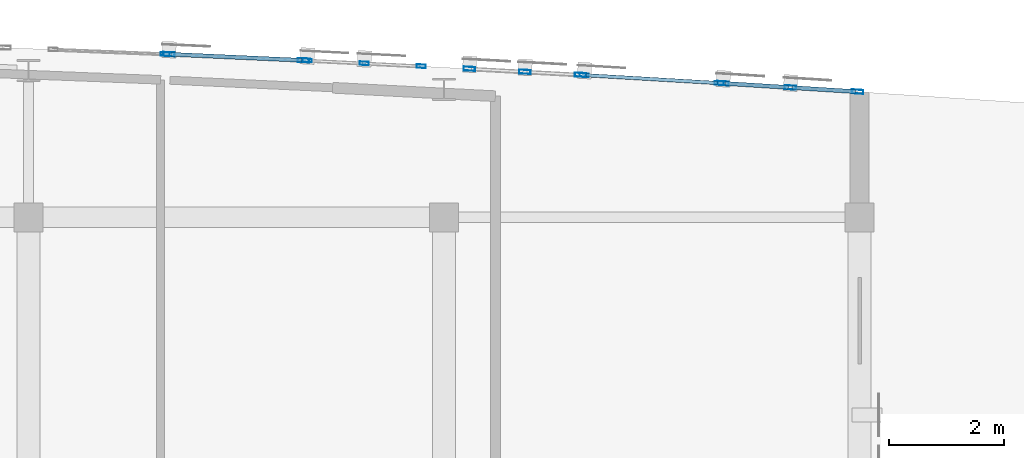
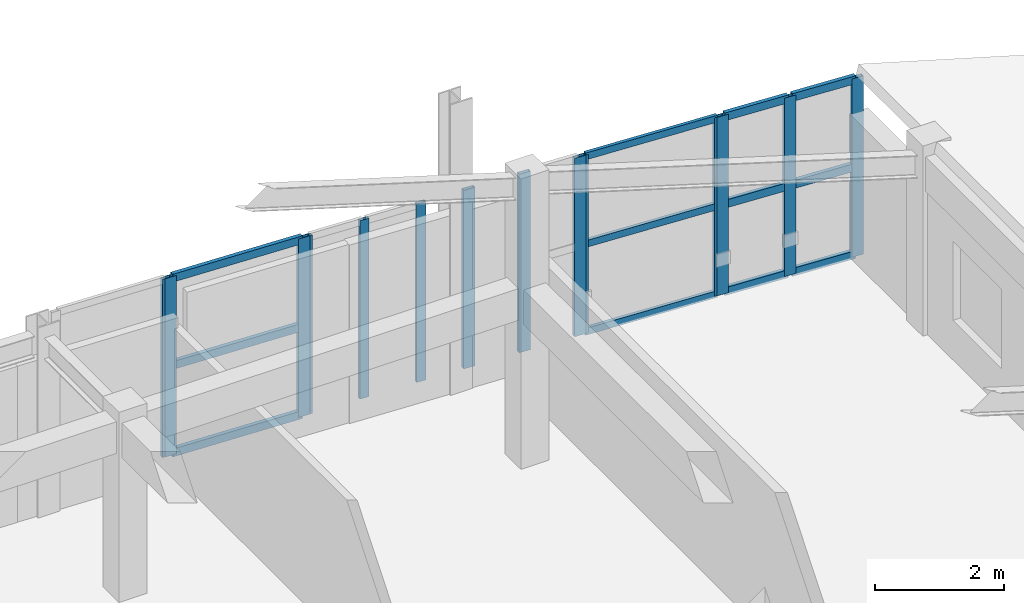
# One storey, part 20 of 34: 26 members, 6 elements without a shape of their own.
"""IFC4 building model written with IfcOpenShell, lengths in metres."""

import ifcopenshell
import ifcopenshell.guid

model = None  # the IFC model being written
_history = None  # IfcOwnerHistory: only IFC2X3 demands one
_inside = {}  # id of a spatial element -> (the spatial element, [elements in it])
_under = {}  # id of a project, library or spatial element -> (it, [spatial elements below it])
_declared = {}  # id of a project -> (the project, [libraries it declares])
_typed = {}  # id of a type object -> (the type object, [elements of that type])
_made_of = {}  # id of a material, layer set ... -> (it, [elements and type objects made of it])


def new_model(schema):
    """Start an empty IFC model of exactly this schema.

    Asked for "IFC4X3", IfcOpenShell would pick the latest addendum, in which some entities
    have other attributes; the version numbers below select the first issue.
    IFC2X3 requires an IfcOwnerHistory on every rooted entity: one is made here for all.
    """
    global model, _history
    if schema == "IFC4X3":
        model = ifcopenshell.file(schema_version=(4, 3, 0, 0))
    else:
        model = ifcopenshell.file(schema=schema)
    _inside.clear()
    _under.clear()
    _declared.clear()
    _typed.clear()
    _made_of.clear()
    _history = None
    if model.schema == "IFC2X3":
        org = make("IfcOrganization", Name="unknown")
        user = make(
            "IfcPersonAndOrganization",
            ThePerson=make("IfcPerson", FamilyName="unknown"),
            TheOrganization=org,
        )
        app = make(
            "IfcApplication",
            ApplicationDeveloper=org,
            Version="unknown",
            ApplicationFullName="unknown",
            ApplicationIdentifier="unknown",
        )
        _history = make(
            "IfcOwnerHistory",
            OwningUser=user,
            OwningApplication=app,
            ChangeAction="ADDED",
            CreationDate=0,
        )
    return model


def make(cls, **values):
    """One entity of the class cls with the attributes given. An attribute that is None is left unset."""
    return model.create_entity(
        cls, **{name: value for name, value in values.items() if value is not None}
    )


def rooted(cls, **values):
    """An entity with a GlobalId (a new one), such as an element, a storey or a relation."""
    return make(cls, GlobalId=ifcopenshell.guid.new(), OwnerHistory=_history, **values)


def si_unit(unit_type, name, prefix=None):
    """IfcSIUnit, for example si_unit("LENGTHUNIT", "METRE", prefix="MILLI")."""
    return make("IfcSIUnit", UnitType=unit_type, Prefix=prefix, Name=name)


def assignment(units):
    """IfcUnitAssignment: the units of a project."""
    return None if units is None else make("IfcUnitAssignment", Units=units)


def point(xyz):
    """IfcCartesianPoint."""
    return None if xyz is None else make("IfcCartesianPoint", Coordinates=xyz)


def direction(xyz):
    """IfcDirection."""
    return None if xyz is None else make("IfcDirection", DirectionRatios=xyz)


def frame(location, z_axis=None, x_axis=None):
    """IfcAxis2Placement3D, a coordinate frame: its origin and axes. An axis left out is left unset."""
    return make(
        "IfcAxis2Placement3D",
        Location=point(location),
        Axis=direction(z_axis),
        RefDirection=direction(x_axis),
    )


def frame_2d(location, x_axis=None):
    """IfcAxis2Placement2D, a coordinate frame in the plane: its origin and x axis."""
    return make(
        "IfcAxis2Placement2D", Location=point(location), RefDirection=direction(x_axis)
    )


def origin():
    """The frame at (0, 0, 0) with its axes left unset."""
    return frame((0.0, 0.0, 0.0))


def origin_2d():
    """The frame at (0, 0) in the plane with its x axis left unset."""
    return frame_2d((0.0, 0.0))


def place(relative_to, where):
    """IfcLocalPlacement: puts the frame where relative to a parent placement (None: the world)."""
    return make(
        "IfcLocalPlacement", PlacementRelTo=relative_to, RelativePlacement=where
    )


def context(
    kind, dimensions, precision=None, world=None, true_north=None, identifier=None
):
    """IfcGeometricRepresentationContext, for example the 3D "Model" context."""
    return make(
        "IfcGeometricRepresentationContext",
        ContextIdentifier=identifier,
        ContextType=kind,
        CoordinateSpaceDimension=dimensions,
        Precision=precision,
        WorldCoordinateSystem=world,
        TrueNorth=true_north,
    )


def subcontext(parent, identifier, kind, view, scale=None):
    """IfcGeometricRepresentationSubContext, for example "Body" below "Model"."""
    return make(
        "IfcGeometricRepresentationSubContext",
        ContextIdentifier=identifier,
        ContextType=kind,
        ParentContext=parent,
        TargetScale=scale,
        TargetView=view,
    )


def project(units=None, contexts=None):
    """IfcProject with its units and contexts."""
    return rooted(
        "IfcProject",
        Name="project",
        RepresentationContexts=contexts,
        UnitsInContext=assignment(units),
    )


def spatial(cls, under=None, at=None, **own):
    """A site, building, storey or space (cls), placed at a placement, below another one or the project."""
    s = rooted(cls, ObjectPlacement=at, **own)
    if under is not None:
        _under.setdefault(under.id(), (under, []))[1].append(s)
    return s


def profile(cls, at=None, kind="AREA", **sizes):
    """A parametric profile (cls). Its sizes go by their IFC names, for example OverallWidth=200.0."""
    return make(cls, ProfileType=kind, Position=at, **sizes)


def hollow_rectangle(**sizes):
    """IfcRectangleHollowProfileDef."""
    return profile("IfcRectangleHollowProfileDef", **sizes)


def extrude(swept, where, along, depth):
    """IfcExtrudedAreaSolid: the profile swept, set in the frame where, extruded along a direction by depth."""
    return make(
        "IfcExtrudedAreaSolid",
        SweptArea=swept,
        Position=where,
        ExtrudedDirection=direction(along),
        Depth=depth,
    )


def shape(context_of_items, identifier, shape_type, items):
    """IfcShapeRepresentation: the items that make up one representation, for example the "Body"."""
    return make(
        "IfcShapeRepresentation",
        ContextOfItems=context_of_items,
        RepresentationIdentifier=identifier,
        RepresentationType=shape_type,
        Items=items,
    )


def material(Name=None, Category=None):
    """IfcMaterial."""
    return make("IfcMaterial", Name=Name, Category=Category)


def layer(
    of_material, thickness, ventilated=None, Name=None, Category=None, Priority=None
):
    """IfcMaterialLayer: one layer of a wall or slab, of a material (None: an air gap)."""
    return make(
        "IfcMaterialLayer",
        Material=of_material,
        LayerThickness=thickness,
        IsVentilated=ventilated,
        Name=Name,
        Category=Category,
        Priority=Priority,
    )


def layer_set(layers, Name=None):
    """IfcMaterialLayerSet."""
    return make("IfcMaterialLayerSet", MaterialLayers=layers, LayerSetName=Name)


def material_profile(
    of_material, cross_section, Name=None, Category=None, Priority=None
):
    """IfcMaterialProfile: a cross section and its material."""
    return make(
        "IfcMaterialProfile",
        Name=Name,
        Material=of_material,
        Profile=cross_section,
        Priority=Priority,
        Category=Category,
    )


def profile_set(profiles, Name=None, composite=None):
    """IfcMaterialProfileSet."""
    return make(
        "IfcMaterialProfileSet",
        Name=Name,
        MaterialProfiles=profiles,
        CompositeProfile=composite,
    )


def made_of(thing, what):
    """Note that an element or type object is made of a material, layer set ...; save() writes the relation."""
    if what is not None:
        _made_of.setdefault(what.id(), (what, []))[1].append(thing)
    return thing


def type_object(cls, material=None, **own):
    """A type object (cls), such as IfcWallType, which elements share."""
    return made_of(rooted(cls, **own), material)


def element(
    cls,
    number,
    at=None,
    inside=None,
    cuts=None,
    type_object=None,
    material=None,
    context=None,
    identifier="Body",
    shape_type=None,
    held_by="IfcProductDefinitionShape",
    body=None,
    shapes=None,
    **own,
):
    """One element of the class cls, such as IfcWall. Its Tag is "e" and its number.

    at: its placement. inside: the storey or other place that contains it. cuts: it is an
    opening in that element (IfcRelVoidsElement). A single representation is given by context,
    identifier, shape_type and body (its items); several are given by shapes. held_by: the class
    of the entity that holds the representations. save() writes the other relations.
    """
    e = rooted(cls, Tag="e%d" % number, ObjectPlacement=at, **own)
    if body is not None:
        shapes = [shape(context, identifier, shape_type, body)]
    if shapes is not None:
        e.Representation = make(held_by, Representations=shapes)
    if inside is not None:
        _inside.setdefault(inside.id(), (inside, []))[1].append(e)
    if cuts is not None:
        rooted(
            "IfcRelVoidsElement", RelatingBuildingElement=cuts, RelatedOpeningElement=e
        )
    if type_object is not None:
        _typed.setdefault(type_object.id(), (type_object, []))[1].append(e)
    return made_of(e, material)


def aggregate(whole, parts):
    """IfcRelAggregates: a whole, such as a stair, and the parts it consists of."""
    return rooted("IfcRelAggregates", RelatingObject=whole, RelatedObjects=parts)


def save(model, path):
    """Write the relations noted so far, then the file.

    IfcRelAggregates (storeys below a building ...), IfcRelContainedInSpatialStructure (elements
    in a storey), IfcRelDefinesByType, IfcRelAssociatesMaterial and IfcRelDeclares: one each for
    every whole, place, type object, material and project.
    """
    for whole, parts in _under.values():
        aggregate(whole, parts)
    for where, things in _inside.values():
        rooted(
            "IfcRelContainedInSpatialStructure",
            RelatedElements=things,
            RelatingStructure=where,
        )
    for kind, things in _typed.values():
        rooted("IfcRelDefinesByType", RelatedObjects=things, RelatingType=kind)
    for what, things in _made_of.values():
        rooted("IfcRelAssociatesMaterial", RelatedObjects=things, RelatingMaterial=what)
    for by, libraries in _declared.values():
        rooted("IfcRelDeclares", RelatingContext=by, RelatedDefinitions=libraries)
    model.write(path)


model = new_model("IFC4")

# Units and contexts
model_context = context("Model", 3, precision=1e-05, world=origin(), true_north=direction((0.0, 1.0)))
body_context = subcontext(model_context, "Body", "Model", "MODEL_VIEW")
ifc_project = project(units=[si_unit("LENGTHUNIT", "METRE"), si_unit("AREAUNIT", "SQUARE_METRE"), si_unit("VOLUMEUNIT", "CUBIC_METRE"), si_unit("PLANEANGLEUNIT", "RADIAN"), si_unit("MASSUNIT", "GRAM", prefix="KILO")], contexts=[model_context])

# Site, building, storey
site_placement = place(None, origin())
site = spatial("IfcSite", under=ifc_project, at=site_placement, CompositionType="ELEMENT")
building_placement = place(site_placement, origin())
building = spatial("IfcBuilding", under=site, at=building_placement, Name="Carrowvane Square Congress Hotel", CompositionType="ELEMENT")
storey_placement = place(building_placement, frame((0.0, 0.0, 40.800048828125)))
storey = spatial("IfcBuildingStorey", under=building, at=storey_placement, Name="L10", CompositionType="ELEMENT", Elevation=40.800048828125)

# Curtain wall, member
ifc_material_1 = material(Name="Anodised aluminium", Category="aluminium")
ifc_layer_1 = layer(ifc_material_1, 0.2099609375)
ifc_layer_set_1 = layer_set([ifc_layer_1], Name="Anodised aluminium")
curtain_wall_type_1 = type_object("IfcCurtainWallType", Name="CW-SYS-5", PredefinedType="NOTDEFINED", material=ifc_layer_set_1)
curtain_wall_1_placement = place(storey_placement, origin())
curtain_wall_1 = element("IfcCurtainWall", 1, at=curtain_wall_1_placement, inside=storey, type_object=curtain_wall_type_1, Name="L10 unitised curtain wall 580", PredefinedType="NOTDEFINED")
ifc_material_2 = material(Name="Anodised aluminium", Category="aluminium")
ifc_material_profile_1 = material_profile(ifc_material_2, hollow_rectangle(XDim=0.06005859375, YDim=0.159912109375, WallThickness=0.00390625, at=origin_2d()), Name="CW-ML 60x160x4")
ifc_profile_set_1 = profile_set([ifc_material_profile_1], Name="Anodised aluminium")
member_type_1 = type_object("IfcMemberType", Name="CW-MUL-1", PredefinedType="MULLION", material=ifc_profile_set_1)
member_1_placement = place(storey_placement, frame((114.77001953125, 116.228759765625, 0.0), z_axis=(0.0, 0.0, 1.0), x_axis=(0.040130957403, 0.999194428656, 0.0)))
member_1 = element("IfcMember", 2, at=member_1_placement, type_object=member_type_1, Name="CW-5 mullion 2", PredefinedType="MULLION", context=body_context, shape_type="SweptSolid", body=[
    extrude(hollow_rectangle(XDim=0.06005859375, YDim=0.159912109375, WallThickness=0.00390625, at=origin_2d()), origin(), (0.0, 0.0, 1.0), 3.3798828125),
])
aggregate(curtain_wall_1, [member_1])

# Curtain wall, members
ifc_material_3 = material(Name="Anodised aluminium", Category="aluminium")
ifc_layer_2 = layer(ifc_material_3, 0.23388671875)
ifc_layer_set_2 = layer_set([ifc_layer_2], Name="Anodised aluminium")
curtain_wall_type_2 = type_object("IfcCurtainWallType", Name="CW-SYS-7", PredefinedType="NOTDEFINED", material=ifc_layer_set_2)
curtain_wall_2_placement = place(storey_placement, origin())
curtain_wall_2 = element("IfcCurtainWall", 3, at=curtain_wall_2_placement, inside=storey, type_object=curtain_wall_type_2, Name="L10 unitised curtain wall 582", PredefinedType="NOTDEFINED")
member_2_placement = place(storey_placement, frame((117.22998046875, 116.116943359375, 0.0), z_axis=(0.0, 0.0, 1.0), x_axis=(0.050323791596, 0.998732955299, 0.0)))
member_2 = element("IfcMember", 4, at=member_2_placement, type_object=member_type_1, Name="CW-7 mullion 1", PredefinedType="MULLION", context=body_context, shape_type="SweptSolid", body=[
    extrude(hollow_rectangle(XDim=0.06005859375, YDim=0.159912109375, WallThickness=0.00390625, at=origin_2d()), origin(), (0.0, 0.0, 1.0), 3.3798828125),
])
member_3_placement = place(storey_placement, frame((118.2177734375, 116.067138671875, 0.0), z_axis=(0.0, 0.0, 1.0), x_axis=(0.050323791596, 0.998732955299, 0.0)))
member_3 = element("IfcMember", 5, at=member_3_placement, type_object=member_type_1, Name="CW-7 mullion 2", PredefinedType="MULLION", context=body_context, shape_type="SweptSolid", body=[
    extrude(hollow_rectangle(XDim=0.06005859375, YDim=0.159912109375, WallThickness=0.00390625, at=origin_2d()), origin(), (0.0, 0.0, 1.0), 3.3798828125),
])
member_4_placement = place(storey_placement, frame((119.20556640625, 116.017578125, 0.0), z_axis=(0.0, 0.0, 1.0), x_axis=(0.050323791596, 0.998732955299, 0.0)))
member_4 = element("IfcMember", 6, at=member_4_placement, type_object=member_type_1, Name="CW-7 mullion 3", PredefinedType="MULLION", context=body_context, shape_type="SweptSolid", body=[
    extrude(hollow_rectangle(XDim=0.06005859375, YDim=0.159912109375, WallThickness=0.00390625, at=origin_2d()), origin(), (0.0, 0.0, 1.0), 3.3798828125),
])
aggregate(curtain_wall_2, [member_2, member_3, member_4])

ifc_material_4 = material(Name="Anodised aluminium", Category="aluminium")
ifc_layer_3 = layer(ifc_material_4, 0.162109375)
ifc_layer_set_3 = layer_set([ifc_layer_3], Name="Anodised aluminium")
curtain_wall_type_3 = type_object("IfcCurtainWallType", Name="CW-SYS-1", PredefinedType="NOTDEFINED", material=ifc_layer_set_3)
curtain_wall_3_placement = place(storey_placement, origin())
curtain_wall_3 = element("IfcCurtainWall", 7, at=curtain_wall_3_placement, inside=storey, type_object=curtain_wall_type_3, Name="L10 unitised curtain wall 584", PredefinedType="NOTDEFINED")
member_5_placement = place(storey_placement, frame((122.030029296875, 115.864013671875, 0.0), z_axis=(0.0, 0.0, 1.0), x_axis=(0.058851249486, 0.998266763162, 0.0)))
member_5 = element("IfcMember", 8, at=member_5_placement, type_object=member_type_1, Name="CW-1 mullion 1", PredefinedType="MULLION", context=body_context, shape_type="SweptSolid", body=[
    extrude(hollow_rectangle(XDim=0.06005859375, YDim=0.159912109375, WallThickness=0.00390625, at=origin_2d()), origin(), (0.0, 0.0, 1.0), 3.3798828125),
])
member_6_placement = place(storey_placement, frame((124.3701171875, 115.72607421875, 0.0), z_axis=(0.0, 0.0, 1.0), x_axis=(0.058851249486, 0.998266763162, 0.0)))
member_6 = element("IfcMember", 9, at=member_6_placement, type_object=member_type_1, Name="CW-1 mullion 2", PredefinedType="MULLION", context=body_context, shape_type="SweptSolid", body=[
    extrude(hollow_rectangle(XDim=0.06005859375, YDim=0.159912109375, WallThickness=0.00390625, at=origin_2d()), origin(), (0.0, 0.0, 1.0), 3.3798828125),
])

ifc_material_5 = material(Name="Anodised aluminium", Category="aluminium")
ifc_layer_4 = layer(ifc_material_5, 0.221923828125)
ifc_layer_set_4 = layer_set([ifc_layer_4], Name="Anodised aluminium")
curtain_wall_type_4 = type_object("IfcCurtainWallType", Name="CW-SYS-6", PredefinedType="NOTDEFINED", material=ifc_layer_set_4)
curtain_wall_4_placement = place(storey_placement, origin())
curtain_wall_4 = element("IfcCurtainWall", 10, at=curtain_wall_4_placement, inside=storey, type_object=curtain_wall_type_4, Name="L10 unitised curtain wall 581", PredefinedType="NOTDEFINED")
ifc_material_6 = material(Name="Anodised aluminium", Category="aluminium")
ifc_material_profile_2 = material_profile(ifc_material_6, hollow_rectangle(XDim=0.070068359375, YDim=0.199951171875, WallThickness=0.0048828125, at=origin_2d()), Name="CW-ML 70x200x5")
ifc_profile_set_2 = profile_set([ifc_material_profile_2], Name="Anodised aluminium")
member_type_2 = type_object("IfcMemberType", Name="CW-MUL-2", PredefinedType="MULLION", material=ifc_profile_set_2)
member_7_placement = place(storey_placement, frame((114.8349609375, 116.22607421875, 0.0), z_axis=(0.0, 0.0, 1.0), x_axis=(0.045411059449, 0.998968385726, 0.0)))
member_7 = element("IfcMember", 11, at=member_7_placement, type_object=member_type_2, Name="CW-6 mullion 1", PredefinedType="MULLION", context=body_context, shape_type="SweptSolid", body=[
    extrude(hollow_rectangle(XDim=0.070068359375, YDim=0.199951171875, WallThickness=0.0048828125, at=origin_2d()), origin(), (0.0, 0.0, 1.0), 3.3798828125),
])
member_8_placement = place(storey_placement, frame((117.1650390625, 116.1201171875, 0.0), z_axis=(0.0, 0.0, 1.0), x_axis=(0.045411059449, 0.998968385726, 0.0)))
member_8 = element("IfcMember", 12, at=member_8_placement, type_object=member_type_2, Name="CW-6 mullion 2", PredefinedType="MULLION", context=body_context, shape_type="SweptSolid", body=[
    extrude(hollow_rectangle(XDim=0.070068359375, YDim=0.199951171875, WallThickness=0.0048828125, at=origin_2d()), origin(), (0.0, 0.0, 1.0), 3.3798828125),
])

ifc_material_7 = material(Name="Anodised aluminium", Category="aluminium")
ifc_layer_5 = layer(ifc_material_7, 0.24609375)
ifc_layer_set_5 = layer_set([ifc_layer_5], Name="Anodised aluminium")
curtain_wall_type_5 = type_object("IfcCurtainWallType", Name="CW-SYS-8", PredefinedType="NOTDEFINED", material=ifc_layer_set_5)
curtain_wall_5_placement = place(storey_placement, origin())
curtain_wall_5 = element("IfcCurtainWall", 13, at=curtain_wall_5_placement, inside=storey, type_object=curtain_wall_type_5, Name="L10 unitised curtain wall 583", PredefinedType="NOTDEFINED")
member_9_placement = place(storey_placement, frame((120.03955078125, 115.973388671875, 0.0), z_axis=(0.0, 0.0, 1.0), x_axis=(0.054815980317, 0.998496473856, 0.0)))
member_9 = element("IfcMember", 14, at=member_9_placement, type_object=member_type_2, Name="CW-8 mullion 1", PredefinedType="MULLION", context=body_context, shape_type="SweptSolid", body=[
    extrude(hollow_rectangle(XDim=0.070068359375, YDim=0.199951171875, WallThickness=0.0048828125, at=origin_2d()), origin(), (0.0, 0.0, 1.0), 3.3798828125),
])
member_10_placement = place(storey_placement, frame((121.002197265625, 115.920654296875, 0.0), z_axis=(0.0, 0.0, 1.0), x_axis=(0.054815980317, 0.998496473856, 0.0)))
member_10 = element("IfcMember", 15, at=member_10_placement, type_object=member_type_2, Name="CW-8 mullion 2", PredefinedType="MULLION", context=body_context, shape_type="SweptSolid", body=[
    extrude(hollow_rectangle(XDim=0.070068359375, YDim=0.199951171875, WallThickness=0.0048828125, at=origin_2d()), origin(), (0.0, 0.0, 1.0), 3.3798828125),
])
member_11_placement = place(storey_placement, frame((121.965087890625, 115.86767578125, 0.0), z_axis=(0.0, 0.0, 1.0), x_axis=(0.054815980317, 0.998496473856, 0.0)))
member_11 = element("IfcMember", 16, at=member_11_placement, type_object=member_type_2, Name="CW-8 mullion 3", PredefinedType="MULLION", context=body_context, shape_type="SweptSolid", body=[
    extrude(hollow_rectangle(XDim=0.070068359375, YDim=0.199951171875, WallThickness=0.0048828125, at=origin_2d()), origin(), (0.0, 0.0, 1.0), 3.3798828125),
])
aggregate(curtain_wall_5, [member_9, member_10, member_11])

ifc_material_8 = material(Name="Anodised aluminium", Category="aluminium")
ifc_layer_6 = layer(ifc_material_8, 0.174072265625)
ifc_layer_set_6 = layer_set([ifc_layer_6], Name="Anodised aluminium")
curtain_wall_type_6 = type_object("IfcCurtainWallType", Name="CW-SYS-2", PredefinedType="NOTDEFINED", material=ifc_layer_set_6)
curtain_wall_6_placement = place(storey_placement, origin())
curtain_wall_6 = element("IfcCurtainWall", 17, at=curtain_wall_6_placement, inside=storey, type_object=curtain_wall_type_6, Name="L10 unitised curtain wall 585", PredefinedType="NOTDEFINED")
member_12_placement = place(storey_placement, frame((124.434814453125, 115.72216796875, 0.0), z_axis=(0.0, 0.0, 1.0), x_axis=(0.062398738983, 0.998051299971, 0.0)))
member_12 = element("IfcMember", 18, at=member_12_placement, type_object=member_type_2, Name="CW-2 mullion 1", PredefinedType="MULLION", context=body_context, shape_type="SweptSolid", body=[
    extrude(hollow_rectangle(XDim=0.070068359375, YDim=0.199951171875, WallThickness=0.0048828125, at=origin_2d()), origin(), (0.0, 0.0, 1.0), 3.3798828125),
])
member_13_placement = place(storey_placement, frame((125.60009765625, 115.6494140625, 0.0), z_axis=(0.0, 0.0, 1.0), x_axis=(0.062398738983, 0.998051299971, 0.0)))
member_13 = element("IfcMember", 19, at=member_13_placement, type_object=member_type_2, Name="CW-2 mullion 2", PredefinedType="MULLION", context=body_context, shape_type="SweptSolid", body=[
    extrude(hollow_rectangle(XDim=0.070068359375, YDim=0.199951171875, WallThickness=0.0048828125, at=origin_2d()), origin(), (0.0, 0.0, 1.0), 3.3798828125),
])
member_14_placement = place(storey_placement, frame((126.76513671875, 115.576416015625, 0.0), z_axis=(0.0, 0.0, 1.0), x_axis=(0.062398738983, 0.998051299971, 0.0)))
member_14 = element("IfcMember", 20, at=member_14_placement, type_object=member_type_2, Name="CW-2 mullion 3", PredefinedType="MULLION", context=body_context, shape_type="SweptSolid", body=[
    extrude(hollow_rectangle(XDim=0.070068359375, YDim=0.199951171875, WallThickness=0.0048828125, at=origin_2d()), origin(), (0.0, 0.0, 1.0), 3.3798828125),
])

# Member
ifc_material_9 = material(Name="Anodised aluminium", Category="aluminium")
ifc_material_profile_3 = material_profile(ifc_material_9, hollow_rectangle(XDim=0.06005859375, YDim=0.1298828125, WallThickness=0.00390625, at=origin_2d()), Name="CW-TR 60x130x4")
ifc_profile_set_3 = profile_set([ifc_material_profile_3], Name="Anodised aluminium")
member_type_3 = type_object("IfcMemberType", Name="CW-TRN-1", PredefinedType="USERDEFINED", material=ifc_profile_set_3)
member_15_placement = place(storey_placement, frame((122.059814453125, 115.8623046875, 0.030029296875), z_axis=(0.998264407893, -0.058891187232, 0.0), x_axis=(0.058891187232, 0.998264407893, 0.0)))
member_15 = element("IfcMember", 21, at=member_15_placement, type_object=member_type_3, Name="CW-1 transom 1.1", ObjectType="TRANSOM", PredefinedType="USERDEFINED", context=body_context, shape_type="SweptSolid", body=[
    extrude(hollow_rectangle(XDim=0.06005859375, YDim=0.1298828125, WallThickness=0.00390625, at=origin_2d()), origin(), (0.0, 0.0, 1.0), 2.2841796875),
])

member_16_placement = place(storey_placement, frame((122.059814453125, 115.8623046875, 1.68994140625), z_axis=(0.998264407893, -0.058891187232, 0.0), x_axis=(0.058891187232, 0.998264407893, 0.0)))
member_16 = element("IfcMember", 22, at=member_16_placement, type_object=member_type_3, Name="CW-1 transom 1.2", ObjectType="TRANSOM", PredefinedType="USERDEFINED", context=body_context, shape_type="SweptSolid", body=[
    extrude(hollow_rectangle(XDim=0.06005859375, YDim=0.1298828125, WallThickness=0.00390625, at=origin_2d()), origin(), (0.0, 0.0, 1.0), 2.2841796875),
])

member_17_placement = place(storey_placement, frame((122.059814453125, 115.8623046875, 3.349853515625), z_axis=(0.998264407893, -0.058891187232, 0.0), x_axis=(0.058891187232, 0.998264407893, 0.0)))
member_17 = element("IfcMember", 23, at=member_17_placement, type_object=member_type_3, Name="CW-1 transom 1.3", ObjectType="TRANSOM", PredefinedType="USERDEFINED", context=body_context, shape_type="SweptSolid", body=[
    extrude(hollow_rectangle(XDim=0.06005859375, YDim=0.1298828125, WallThickness=0.00390625, at=origin_2d()), origin(), (0.0, 0.0, 1.0), 2.2841796875),
])

aggregate(curtain_wall_3, [member_5, member_6, member_15, member_16, member_17])

ifc_material_10 = material(Name="Anodised aluminium", Category="aluminium")
ifc_material_profile_4 = material_profile(ifc_material_10, hollow_rectangle(XDim=0.070068359375, YDim=0.14990234375, WallThickness=0.0048828125, at=origin_2d()), Name="CW-TR 70x150x5")
ifc_profile_set_4 = profile_set([ifc_material_profile_4], Name="Anodised aluminium")
member_type_4 = type_object("IfcMemberType", Name="CW-TRN-2", PredefinedType="USERDEFINED", material=ifc_profile_set_4)
member_18_placement = place(storey_placement, frame((114.869873046875, 116.224365234375, 0.034912109375), z_axis=(0.998967650095, -0.045427239219, 0.0), x_axis=(0.045427239219, 0.998967650095, 0.0)))
member_18 = element("IfcMember", 24, at=member_18_placement, type_object=member_type_4, Name="CW-6 transom 1.1", ObjectType="TRANSOM", PredefinedType="USERDEFINED", context=body_context, shape_type="SweptSolid", body=[
    extrude(hollow_rectangle(XDim=0.070068359375, YDim=0.14990234375, WallThickness=0.0048828125, at=origin_2d()), origin(), (0.0, 0.0, 1.0), 2.2626953125),
])

member_19_placement = place(storey_placement, frame((114.869873046875, 116.224365234375, 1.68994140625), z_axis=(0.998967650095, -0.045427239219, 0.0), x_axis=(0.045427239219, 0.998967650095, 0.0)))
member_19 = element("IfcMember", 25, at=member_19_placement, type_object=member_type_4, Name="CW-6 transom 1.2", ObjectType="TRANSOM", PredefinedType="USERDEFINED", context=body_context, shape_type="SweptSolid", body=[
    extrude(hollow_rectangle(XDim=0.070068359375, YDim=0.14990234375, WallThickness=0.0048828125, at=origin_2d()), origin(), (0.0, 0.0, 1.0), 2.2626953125),
])

member_20_placement = place(storey_placement, frame((114.869873046875, 116.224365234375, 3.344970703125), z_axis=(0.998967650095, -0.045427239219, 0.0), x_axis=(0.045427239219, 0.998967650095, 0.0)))
member_20 = element("IfcMember", 26, at=member_20_placement, type_object=member_type_4, Name="CW-6 transom 1.3", ObjectType="TRANSOM", PredefinedType="USERDEFINED", context=body_context, shape_type="SweptSolid", body=[
    extrude(hollow_rectangle(XDim=0.070068359375, YDim=0.14990234375, WallThickness=0.0048828125, at=origin_2d()), origin(), (0.0, 0.0, 1.0), 2.2626953125),
])

aggregate(curtain_wall_4, [member_7, member_8, member_18, member_19, member_20])

member_21_placement = place(storey_placement, frame((124.469970703125, 115.719970703125, 0.034912109375), z_axis=(0.998057769173, -0.062295179529, 0.0), x_axis=(0.062295179529, 0.998057769173, 0.0)))
member_21 = element("IfcMember", 27, at=member_21_placement, type_object=member_type_4, Name="CW-2 transom 1.1", ObjectType="TRANSOM", PredefinedType="USERDEFINED", context=body_context, shape_type="SweptSolid", body=[
    extrude(hollow_rectangle(XDim=0.070068359375, YDim=0.14990234375, WallThickness=0.0048828125, at=origin_2d()), origin(), (0.0, 0.0, 1.0), 1.097412109375),
])

member_22_placement = place(storey_placement, frame((124.469970703125, 115.719970703125, 1.68994140625), z_axis=(0.998057769173, -0.062295179529, 0.0), x_axis=(0.062295179529, 0.998057769173, 0.0)))
member_22 = element("IfcMember", 28, at=member_22_placement, type_object=member_type_4, Name="CW-2 transom 1.2", ObjectType="TRANSOM", PredefinedType="USERDEFINED", context=body_context, shape_type="SweptSolid", body=[
    extrude(hollow_rectangle(XDim=0.070068359375, YDim=0.14990234375, WallThickness=0.0048828125, at=origin_2d()), origin(), (0.0, 0.0, 1.0), 1.097412109375),
])

member_23_placement = place(storey_placement, frame((124.469970703125, 115.719970703125, 3.344970703125), z_axis=(0.998057769173, -0.062295179529, 0.0), x_axis=(0.062295179529, 0.998057769173, 0.0)))
member_23 = element("IfcMember", 29, at=member_23_placement, type_object=member_type_4, Name="CW-2 transom 1.3", ObjectType="TRANSOM", PredefinedType="USERDEFINED", context=body_context, shape_type="SweptSolid", body=[
    extrude(hollow_rectangle(XDim=0.070068359375, YDim=0.14990234375, WallThickness=0.0048828125, at=origin_2d()), origin(), (0.0, 0.0, 1.0), 1.097412109375),
])

member_24_placement = place(storey_placement, frame((125.635009765625, 115.647216796875, 0.034912109375), z_axis=(0.998043912074, -0.062516794314, 0.0), x_axis=(0.062516794314, 0.998043912074, 0.0)))
member_24 = element("IfcMember", 30, at=member_24_placement, type_object=member_type_4, Name="CW-2 transom 2.1", ObjectType="TRANSOM", PredefinedType="USERDEFINED", context=body_context, shape_type="SweptSolid", body=[
    extrude(hollow_rectangle(XDim=0.070068359375, YDim=0.14990234375, WallThickness=0.0048828125, at=origin_2d()), origin(), (0.0, 0.0, 1.0), 1.097412109375),
])

member_25_placement = place(storey_placement, frame((125.635009765625, 115.647216796875, 1.68994140625), z_axis=(0.998043912074, -0.062516794314, 0.0), x_axis=(0.062516794314, 0.998043912074, 0.0)))
member_25 = element("IfcMember", 31, at=member_25_placement, type_object=member_type_4, Name="CW-2 transom 2.2", ObjectType="TRANSOM", PredefinedType="USERDEFINED", context=body_context, shape_type="SweptSolid", body=[
    extrude(hollow_rectangle(XDim=0.070068359375, YDim=0.14990234375, WallThickness=0.0048828125, at=origin_2d()), origin(), (0.0, 0.0, 1.0), 1.097412109375),
])

member_26_placement = place(storey_placement, frame((125.635009765625, 115.647216796875, 3.344970703125), z_axis=(0.998043912074, -0.062516794314, 0.0), x_axis=(0.062516794314, 0.998043912074, 0.0)))
member_26 = element("IfcMember", 32, at=member_26_placement, type_object=member_type_4, Name="CW-2 transom 2.3", ObjectType="TRANSOM", PredefinedType="USERDEFINED", context=body_context, shape_type="SweptSolid", body=[
    extrude(hollow_rectangle(XDim=0.070068359375, YDim=0.14990234375, WallThickness=0.0048828125, at=origin_2d()), origin(), (0.0, 0.0, 1.0), 1.097412109375),
])

aggregate(curtain_wall_6, [member_12, member_13, member_14, member_21, member_22, member_23, member_24, member_25, member_26])

save(model, "model.ifc")
